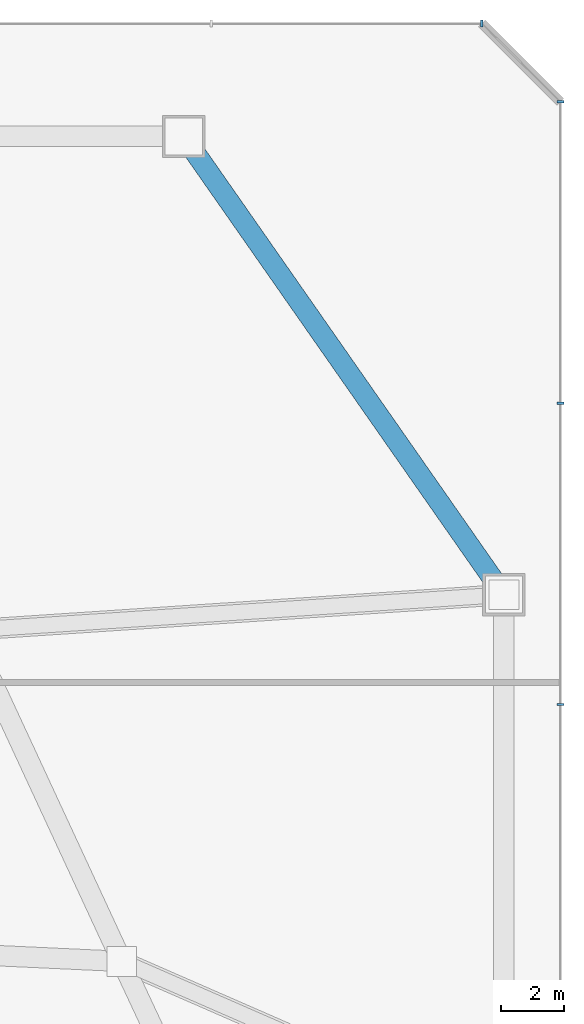
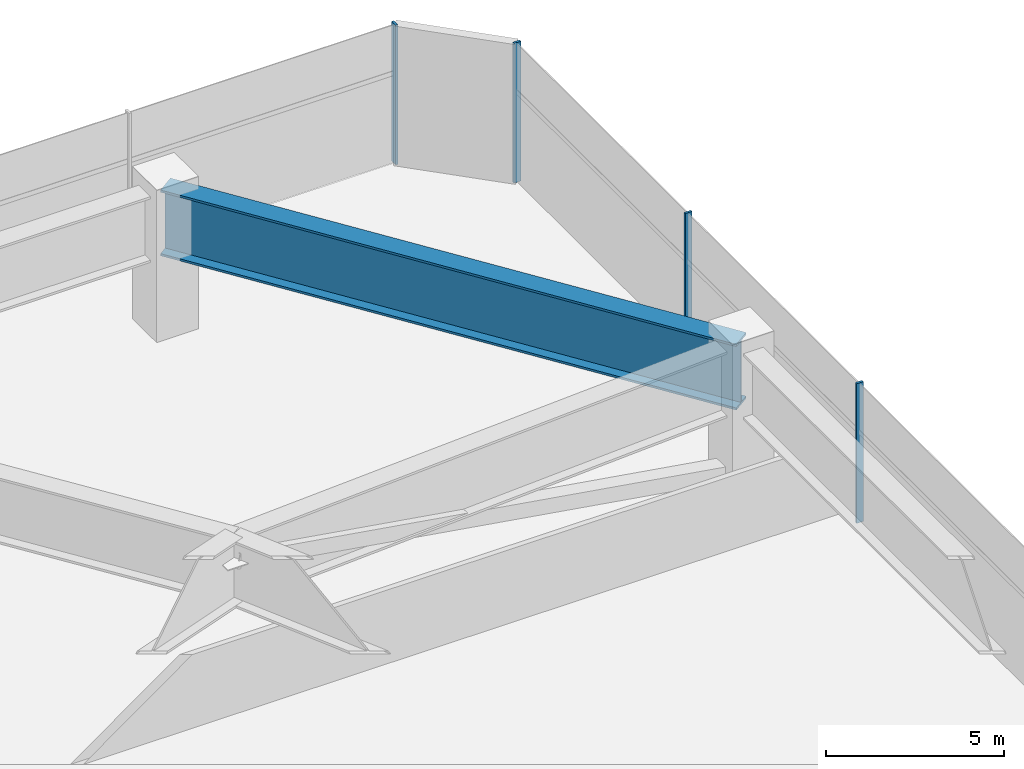
# One storey, part 19 of 29: 4 members, 1 beam, 2 elements without a shape of their own.
"""IFC4 building model written with IfcOpenShell, lengths in metres."""

from ifc_helpers import new_model, si_unit, direction, frame, origin, origin_2d, place, context, subcontext, project, spatial, rectangle, i_section, extrude, source, transform, mapped, material, layer, layer_set, material_profile, profile_set, type_object, type_shapes, element, aggregate, save


model = new_model("IFC4")

# Units and contexts
model_context = context("Model", 3, precision=1e-05, world=origin(), true_north=direction((0.0, 1.0)))
body_context = subcontext(model_context, "Body", "Model", "MODEL_VIEW")
ifc_project = project(units=[si_unit("LENGTHUNIT", "METRE"), si_unit("AREAUNIT", "SQUARE_METRE"), si_unit("VOLUMEUNIT", "CUBIC_METRE"), si_unit("PLANEANGLEUNIT", "RADIAN"), si_unit("MASSUNIT", "GRAM", prefix="KILO")], contexts=[model_context])

# Site, building, storey
site_placement = place(None, origin())
site = spatial("IfcSite", under=ifc_project, at=site_placement, CompositionType="ELEMENT")
building_placement = place(site_placement, origin())
building = spatial("IfcBuilding", under=site, at=building_placement, Name="Varakhsha Concourse Tower", CompositionType="ELEMENT")
storey_placement = place(building_placement, frame((0.0, 0.0, 22.0)))
storey = spatial("IfcBuildingStorey", under=building, at=storey_placement, Name="L05", CompositionType="ELEMENT", Elevation=22.0)

# Beam
ifc_material_1 = material(Name="Structural Steel ASTM A992 Grade 50", Category="steel")
ifc_material_profile_1 = material_profile(ifc_material_1, i_section(OverallWidth=0.64990234375, OverallDepth=2.25, WebThickness=0.0400390625, FlangeThickness=0.074951171875, at=origin_2d()), Name="PG 2250x650x75x40")
ifc_profile_set_1 = profile_set([ifc_material_profile_1], Name="Structural Steel ASTM A992 Grade 50")
beam_type = type_object("IfcBeamType", Name="BM-XFER-PG1650", PredefinedType="USERDEFINED", material=ifc_profile_set_1)
beam_placement = place(storey_placement, frame((75.199951171875, 35.800048828125, 3.655029296875), z_axis=(-0.572710457839, 0.819757727309, 0.0), x_axis=(-0.819757727309, -0.572710457839, 0.0)))
element("IfcBeam", 1, at=beam_placement, inside=storey, type_object=beam_type, Name="L05 Stilt Perimeter Transfer Girder 06", ObjectType="GIRDER", PredefinedType="USERDEFINED", context=body_context, shape_type="SweptSolid", body=[
    extrude(i_section(OverallWidth=0.64990234375, OverallDepth=2.25, WebThickness=0.0400390625, FlangeThickness=0.074951171875, at=origin_2d()), origin(), (0.0, 0.0, 1.0), 17.81005859375),
])

# Curtain wall, members
ifc_material_2 = material(Name="Anodised Bronze Architectural Aluminium AA 6063-T6", Category="aluminium")
ifc_layer = layer(ifc_material_2, 0.260009765625, Name="CW-SYS-06")
ifc_layer_set = layer_set([ifc_layer], Name="Anodised Bronze Architectural Aluminium AA 6063-T6")
curtain_wall_type = type_object("IfcCurtainWallType", Name="CW-SYS-06", PredefinedType="NOTDEFINED", material=ifc_layer_set)
curtain_wall_1_placement = place(storey_placement, origin())
curtain_wall_1 = element("IfcCurtainWall", 2, at=curtain_wall_1_placement, inside=storey, type_object=curtain_wall_type, Name="L05 Podium Curtain Wall 03", PredefinedType="NOTDEFINED")
ifc_material_profile_2 = material_profile(ifc_material_2, rectangle(XDim=0.074951171875, YDim=0.219970703125, at=origin_2d()), Name="CWM-220X75")
ifc_profile_set_2 = profile_set([ifc_material_profile_2], Name="Anodised Bronze Architectural Aluminium AA 6063-T6")
member_type = type_object("IfcMemberType", Name="CWM-220X75", PredefinedType="MULLION", material=ifc_profile_set_2)
shared_shape = source(origin(), body_context, "Body", "SweptSolid", [
    extrude(rectangle(XDim=0.074951171875, YDim=0.219970703125, at=origin_2d()), origin(), (0.0, 0.0, 1.0), 4.780029296875),
])
type_shapes(member_type, [shared_shape])
member_1_placement = place(storey_placement, frame((77.0, 32.300048828125, 0.0), z_axis=(0.0, 0.0, 1.0), x_axis=(0.0, 1.0, 0.0)))
member_1 = element("IfcMember", 3, at=member_1_placement, type_object=member_type, Name="CW-POD-L05-03 Mullion 03", PredefinedType="MULLION", context=body_context, shape_type="MappedRepresentation", body=[
    mapped(shared_shape, transform((0.0, 0.0, 0.0), scale=1.0)),
])
member_2_placement = place(storey_placement, frame((77.0, 41.89990234375, 0.0), z_axis=(0.0, 0.0, 1.0), x_axis=(0.0, 1.0, 0.0)))
member_2 = element("IfcMember", 4, at=member_2_placement, type_object=member_type, Name="CW-POD-L05-03 Mullion 04", PredefinedType="MULLION", context=body_context, shape_type="MappedRepresentation", body=[
    mapped(shared_shape, transform((0.0, 0.0, 0.0), scale=1.0)),
])
member_3_placement = place(storey_placement, frame((77.0, 51.5, 0.0), z_axis=(0.0, 0.0, 1.0), x_axis=(0.0, 1.0, 0.0)))
member_3 = element("IfcMember", 5, at=member_3_placement, type_object=member_type, Name="CW-POD-L05-03 Mullion 05", PredefinedType="MULLION", context=body_context, shape_type="MappedRepresentation", body=[
    mapped(shared_shape, transform((0.0, 0.0, 0.0), scale=1.0)),
])
aggregate(curtain_wall_1, [member_1, member_2, member_3])

# Curtain wall, member
curtain_wall_2_placement = place(storey_placement, origin())
curtain_wall_2 = element("IfcCurtainWall", 6, at=curtain_wall_2_placement, inside=storey, type_object=curtain_wall_type, Name="L05 Podium Curtain Wall 05", PredefinedType="NOTDEFINED")
member_4_placement = place(storey_placement, frame((74.5, 54.0, 0.0), z_axis=(0.0, 0.0, 1.0), x_axis=(-1.0, 0.0, 0.0)))
member_4 = element("IfcMember", 7, at=member_4_placement, type_object=member_type, Name="CW-POD-L05-05 Mullion 00", PredefinedType="MULLION", context=body_context, shape_type="MappedRepresentation", body=[
    mapped(shared_shape, transform((0.0, 0.0, 0.0), scale=1.0)),
])
aggregate(curtain_wall_2, [member_4])

save(model, "model.ifc")
